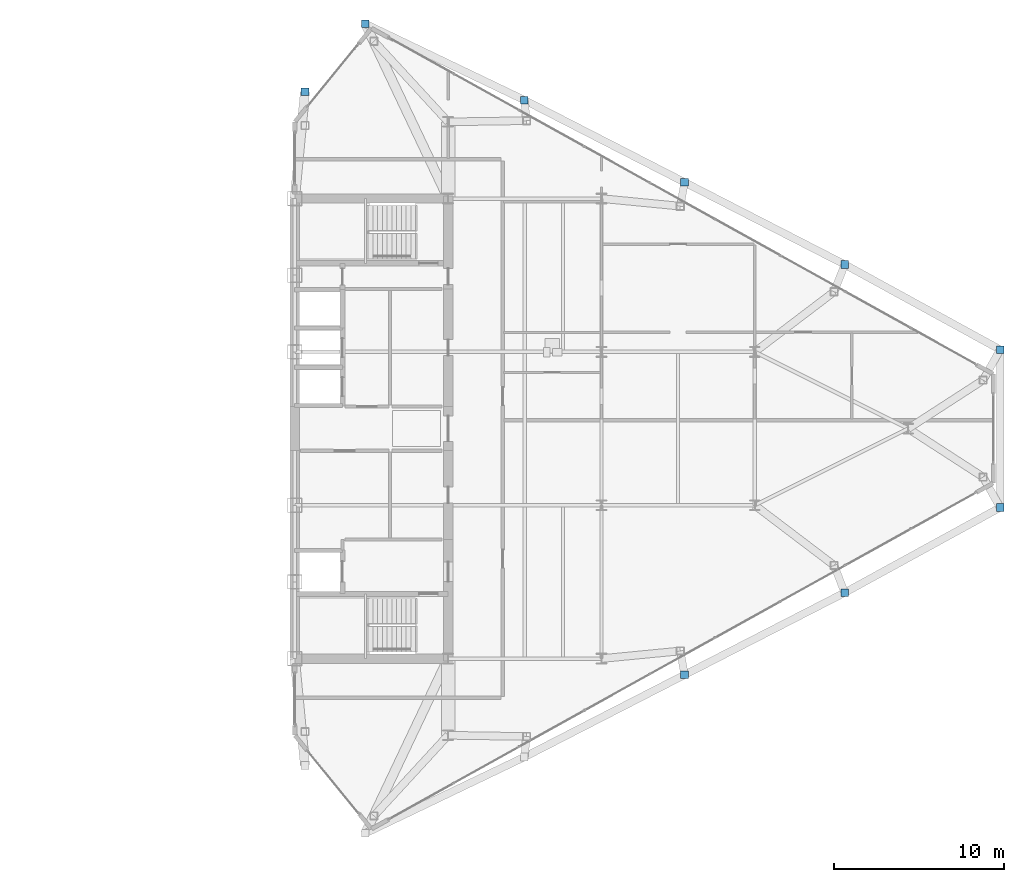
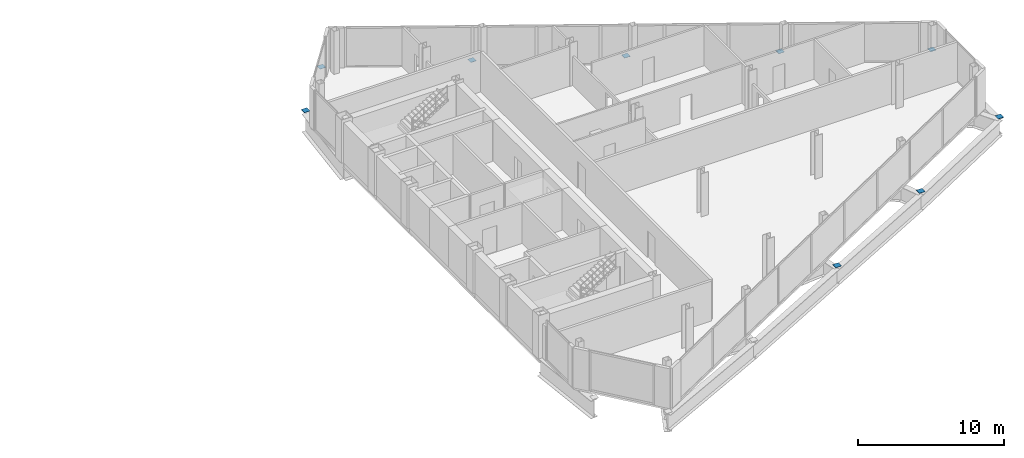
# One storey, part 26 of 28: 9 discrete accessories.
"""IFC4 building model written with IfcOpenShell, lengths in metres."""

from ifc_helpers import new_model, si_unit, direction, frame, origin, origin_2d, place, context, subcontext, project, spatial, rectangle, extrude, source, transform, mapped, material, type_object, type_shapes, element, save


model = new_model("IFC4")

# Units and contexts
model_context = context("Model", 3, precision=1e-05, world=origin(), true_north=direction((0.0, 1.0)))
body_context = subcontext(model_context, "Body", "Model", "MODEL_VIEW")
ifc_project = project(units=[si_unit("LENGTHUNIT", "METRE"), si_unit("AREAUNIT", "SQUARE_METRE"), si_unit("VOLUMEUNIT", "CUBIC_METRE"), si_unit("PLANEANGLEUNIT", "RADIAN"), si_unit("MASSUNIT", "GRAM", prefix="KILO")], contexts=[model_context])

# Site, building, storey
site_placement = place(None, origin())
site = spatial("IfcSite", under=ifc_project, at=site_placement, CompositionType="ELEMENT")
building_placement = place(site_placement, origin())
building = spatial("IfcBuilding", under=site, at=building_placement, Name="Seokmaru Belvedere", CompositionType="ELEMENT")
storey_placement = place(building_placement, frame((0.0, 0.0, 158.39990234375)))
storey = spatial("IfcBuildingStorey", under=building, at=storey_placement, Name="L42", CompositionType="ELEMENT", Elevation=158.39990234375)

# Discrete accessories
ifc_material = material(Name="Steel SM355 (355 MPa)", Category="steel")
discrete_accessory_type = type_object("IfcDiscreteAccessoryType", Name="End Cap Plate HSS-450x450x18", PredefinedType="USERDEFINED", material=ifc_material)
shared_shape = source(origin(), body_context, "Body", "SweptSolid", [
    extrude(rectangle(XDim=0.449951171875, YDim=0.449951171875, at=origin_2d()), origin(), (0.0, 0.0, 1.0), 0.01806640625),
])
type_shapes(discrete_accessory_type, [shared_shape])
for number, where, z_axis, x_axis, name in (
    (1, (68.89990234375, -4.633544921875, 0.0), (0.0, 0.0, 1.0), (1.0, 0.0, 0.0), "L41 Column EF2 End Cap Plate Top"),
    (2, (68.89990234375, 4.633544921875, 0.0), (0.0, 0.0, 1.0), (1.0, 0.0, 0.0), "L41 Column EF3 End Cap Plate Top"),
    (3, (31.6396484375, 23.75390625, 0.0), (0.0, 0.0, 1.0), (1.0, 0.0, 0.0), "L41 Column EF4 End Cap Plate Top"),
    (4, (28.10009765625, 19.77197265625, 0.0), (0.0, 0.0, 1.0), (1.0, 0.0, 0.0), "L41 Column EF5 End Cap Plate Top"),
    (5, (50.377197265625, -14.453369140625, 0.0), (0.0, 0.0, 1.0), (1.0, 0.0, 0.0), "L41 Column EFLK_S2 End Cap Plate Top"),
    (6, (59.778564453125, -9.62890625, 0.0), (0.0, 0.0, 1.0), (1.0, 0.0, 0.0), "L41 Column EFLK_S3 End Cap Plate Top"),
    (7, (40.975830078125, 19.277587890625, 0.0), (0.0, 0.0, 1.0), (1.0, 0.0, 0.0), "L41 Column EFLK_N1 End Cap Plate Top"),
    (8, (50.377197265625, 14.453369140625, 0.0), (0.0, 0.0, 1.0), (1.0, 0.0, 0.0), "L41 Column EFLK_N2 End Cap Plate Top"),
    (9, (59.778564453125, 9.62890625, 0.0), (0.0, 0.0, 1.0), (1.0, 0.0, 0.0), "L41 Column EFLK_N3 End Cap Plate Top"),
):
    element("IfcDiscreteAccessory", number, at=place(storey_placement, frame(where, z_axis=z_axis, x_axis=x_axis)), inside=storey, type_object=discrete_accessory_type, Name=name, ObjectType="END_CAP_PLATE", PredefinedType="USERDEFINED", context=body_context, shape_type="MappedRepresentation", body=[
        mapped(shared_shape, transform((0.0, 0.0, 0.0), scale=1.0)),
    ])

save(model, "model.ifc")
